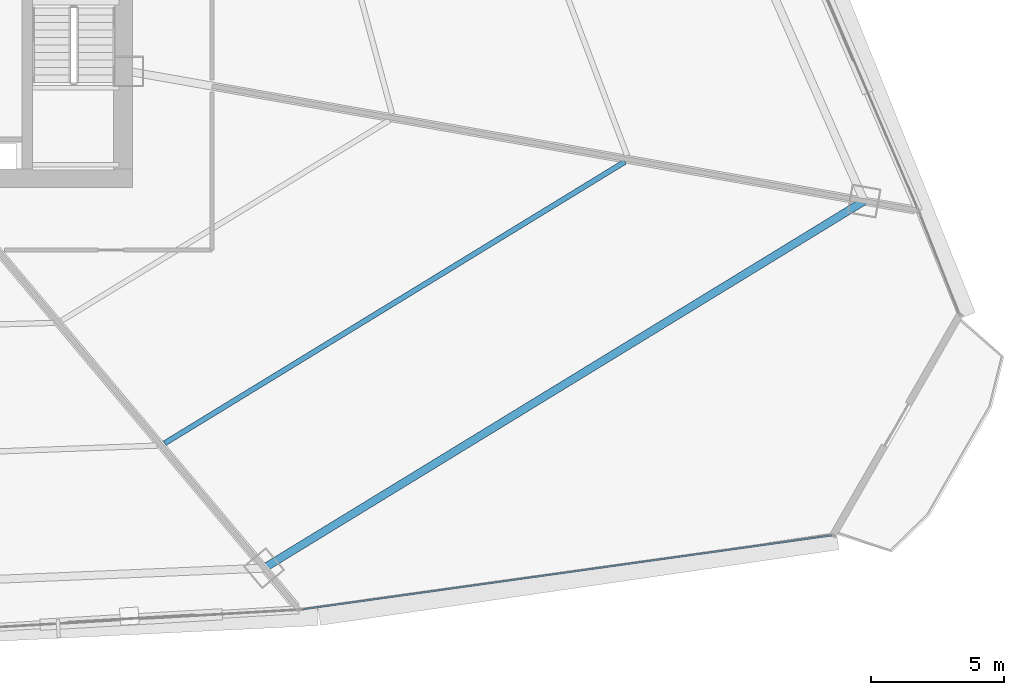
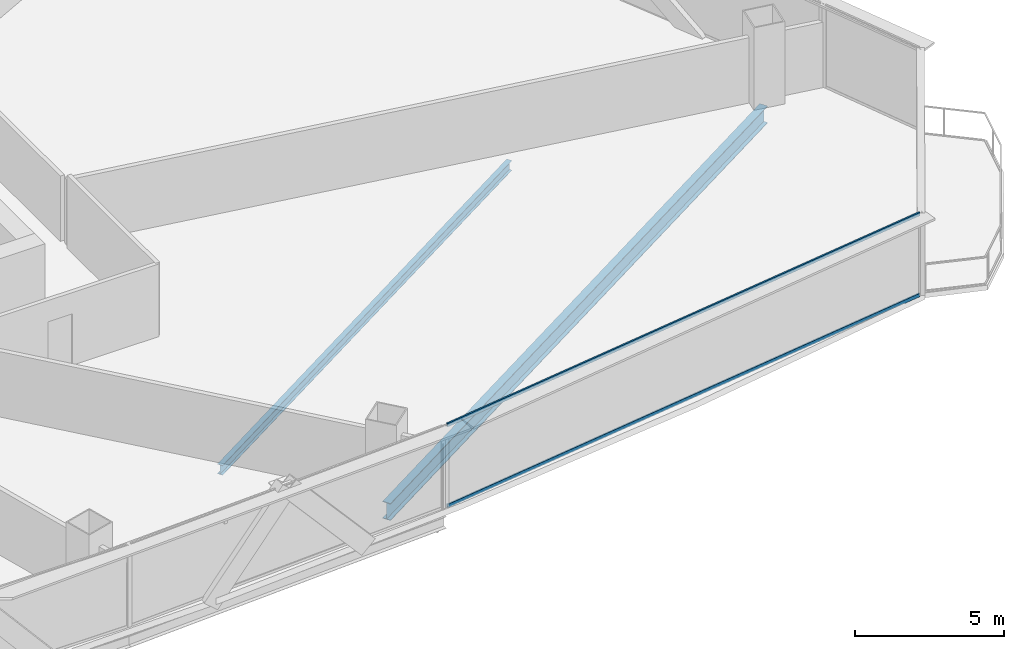
# One storey, part 20 of 38: 2 beams, 2 members, 1 element without a shape of its own.
"""IFC4 building model written with IfcOpenShell, lengths in metres."""

from ifc_helpers import new_model, si_unit, direction, frame, origin, origin_2d, place, context, subcontext, project, spatial, hollow_rectangle, i_section, extrude, source, transform, mapped, material, layer, layer_set, material_profile, profile_set, type_object, element, aggregate, save


model = new_model("IFC4")

# Units and contexts
model_context = context("Model", 3, precision=1e-05, world=origin(), true_north=direction((0.0, 1.0)))
body_context = subcontext(model_context, "Body", "Model", "MODEL_VIEW")
ifc_project = project(units=[si_unit("LENGTHUNIT", "METRE"), si_unit("AREAUNIT", "SQUARE_METRE"), si_unit("VOLUMEUNIT", "CUBIC_METRE"), si_unit("PLANEANGLEUNIT", "RADIAN"), si_unit("MASSUNIT", "GRAM", prefix="KILO"), si_unit("THERMODYNAMICTEMPERATUREUNIT", "KELVIN"), si_unit("POWERUNIT", "WATT")], contexts=[model_context])

# Site, building, storey
site_placement = place(None, origin())
site = spatial("IfcSite", under=ifc_project, at=site_placement, CompositionType="ELEMENT")
building_placement = place(site_placement, origin())
building = spatial("IfcBuilding", under=site, at=building_placement, Name="Yunzhuo Pagoda Commons", CompositionType="ELEMENT")
storey_placement = place(building_placement, frame((0.0, 0.0, 37.659912109375)))
storey = spatial("IfcBuildingStorey", under=building, at=storey_placement, Name="L09", CompositionType="ELEMENT", Elevation=37.659912109375)

# Beams
ifc_material_1 = material(Name="Structural steel Q355B", Category="steel")
ifc_material_profile_1 = material_profile(ifc_material_1, i_section(OverallWidth=0.300048828125, OverallDepth=0.699951171875, WebThickness=0.012939453125, FlangeThickness=0.02392578125, at=origin_2d()), Name="Structural steel Q355B")
ifc_profile_set_1 = profile_set([ifc_material_profile_1], Name="Structural steel Q355B")
beam_type_1 = type_object("IfcBeamType", Name="B-RG1 Beam HN 700x300x13x24", PredefinedType="BEAM", material=ifc_profile_set_1)
shared_shape_1 = source(origin(), body_context, "Body", "SweptSolid", [
    extrude(i_section(OverallWidth=0.300048828125, OverallDepth=0.699951171875, WebThickness=0.012939453125, FlangeThickness=0.02392578125, at=origin_2d()), origin(), (0.0, 0.0, 1.0), 26.432373046875),
])
beam_1_placement = place(storey_placement, frame((65.5, 12.844482421875, -0.60986328125), z_axis=(0.853031728928, 0.521859051318, 0.0), x_axis=(-0.521859051318, 0.853031728928, 0.0)))
element("IfcBeam", 1, at=beam_1_placement, inside=storey, type_object=beam_type_1, Name="L09 column-ring beam 4", PredefinedType="BEAM", context=body_context, shape_type="MappedRepresentation", body=[
    mapped(shared_shape_1, transform((0.0, 0.0, 0.0), scale=1.0)),
])
ifc_material_profile_2 = material_profile(ifc_material_1, i_section(OverallWidth=0.199951171875, OverallDepth=0.39990234375, WebThickness=0.008056640625, FlangeThickness=0.012939453125, at=origin_2d()), Name="Structural steel Q355B")
ifc_profile_set_2 = profile_set([ifc_material_profile_2], Name="Structural steel Q355B")
beam_type_2 = type_object("IfcBeamType", Name="B-JS1 Joist HN 400x200x8x13", PredefinedType="JOIST", material=ifc_profile_set_2)
shared_shape_2 = source(origin(), body_context, "Body", "SweptSolid", [
    extrude(i_section(OverallWidth=0.199951171875, OverallDepth=0.39990234375, WebThickness=0.008056640625, FlangeThickness=0.012939453125, at=origin_2d()), origin(), (0.0, 0.0, 1.0), 20.275634765625),
])
beam_2_placement = place(storey_placement, frame((61.767578125, 17.537109375, -0.4599609375), z_axis=(0.853102898066, 0.521742700295, 0.0), x_axis=(-0.521742700295, 0.853102898066, 0.0)))
element("IfcBeam", 2, at=beam_2_placement, inside=storey, type_object=beam_type_2, Name="L09 composite ring joist 2.4", PredefinedType="JOIST", context=body_context, shape_type="MappedRepresentation", body=[
    mapped(shared_shape_2, transform((0.0, 0.0, 0.0), scale=1.0)),
])

# Curtain wall, members
ifc_material_2 = material(Name="Anodized aluminium 6063-T6", Category="aluminium")
ifc_layer = layer(ifc_material_2, 0.1650390625)
ifc_layer_set = layer_set([ifc_layer], Name="Anodized aluminium 6063-T6")
curtain_wall_type = type_object("IfcCurtainWallType", Name="CW-LOW Low-Zone Ribbon Curtain Wall", PredefinedType="NOTDEFINED", material=ifc_layer_set)
curtain_wall_placement = place(storey_placement, origin())
curtain_wall = element("IfcCurtainWall", 3, at=curtain_wall_placement, inside=storey, type_object=curtain_wall_type, Name="L09 curtain wall CW-L09-F1B5", PredefinedType="NOTDEFINED")
ifc_material_profile_3 = material_profile(ifc_material_2, hollow_rectangle(XDim=0.06005859375, YDim=0.139892578125, WallThickness=0.00341796875, at=origin_2d()), Name="Anodized aluminium 6063-T6")
ifc_profile_set_3 = profile_set([ifc_material_profile_3], Name="Anodized aluminium 6063-T6")
member_type = type_object("IfcMemberType", Name="CW-LOW-T Transom RHS 140x60x3.5", PredefinedType="USERDEFINED", material=ifc_profile_set_3)
shared_shape_3 = source(origin(), body_context, "Body", "SweptSolid", [
    extrude(hollow_rectangle(XDim=0.06005859375, YDim=0.139892578125, WallThickness=0.00341796875, at=origin_2d()), origin(), (0.0, 0.0, 1.0), 20.06201171875),
])
member_1_placement = place(storey_placement, frame((66.95166015625, 11.298828125, 0.030029296875), z_axis=(0.990391410745, 0.138292637271, 0.0), x_axis=(-0.138292637271, 0.990391410745, 0.0)))
member_1 = element("IfcMember", 4, at=member_1_placement, type_object=member_type, Name="CW transom 1.1", ObjectType="TRANSOM", PredefinedType="USERDEFINED", context=body_context, shape_type="MappedRepresentation", body=[
    mapped(shared_shape_3, transform((0.0, 0.0, 0.0), scale=1.0)),
])
member_2_placement = place(storey_placement, frame((66.95166015625, 11.298828125, 3.340087890625), z_axis=(0.990391410745, 0.138292637271, 0.0), x_axis=(-0.138292637271, 0.990391410745, 0.0)))
member_2 = element("IfcMember", 5, at=member_2_placement, type_object=member_type, Name="CW transom 1.2", ObjectType="TRANSOM", PredefinedType="USERDEFINED", context=body_context, shape_type="MappedRepresentation", body=[
    mapped(shared_shape_3, transform((0.0, 0.0, 0.0), scale=1.0)),
])
aggregate(curtain_wall, [member_1, member_2])

save(model, "model.ifc")
